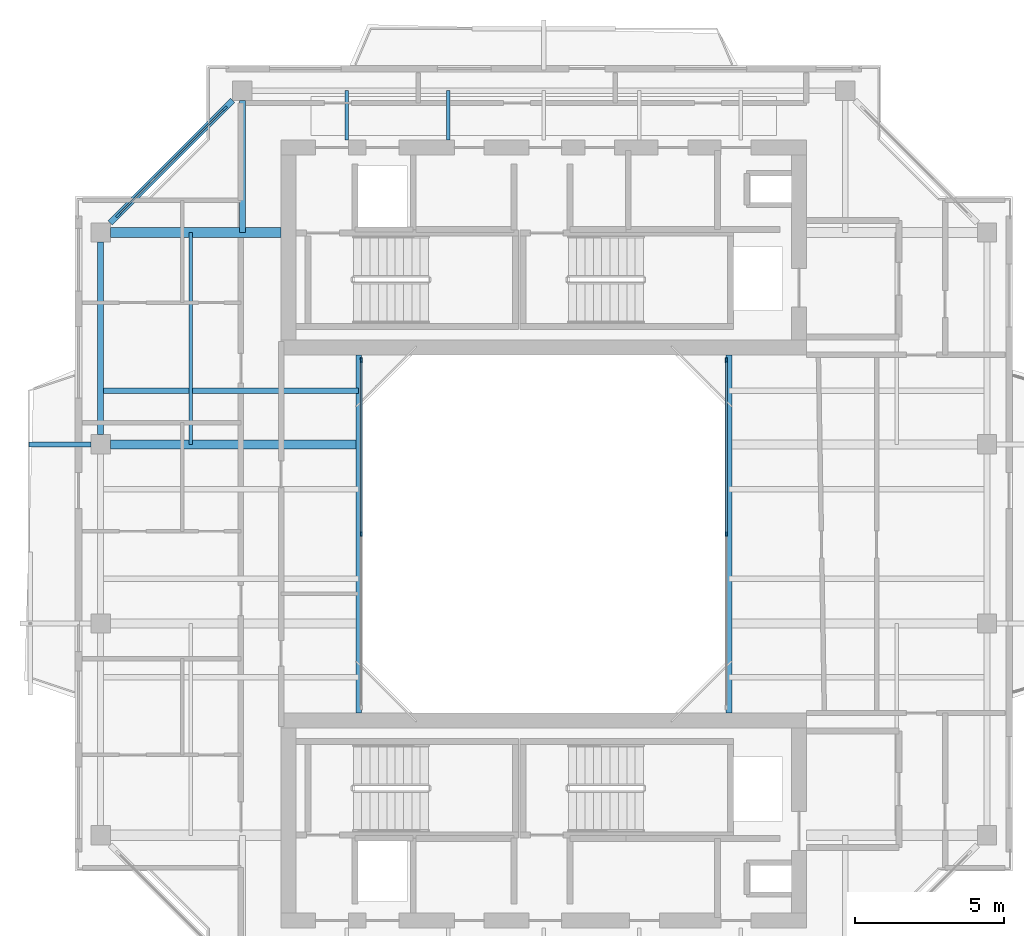
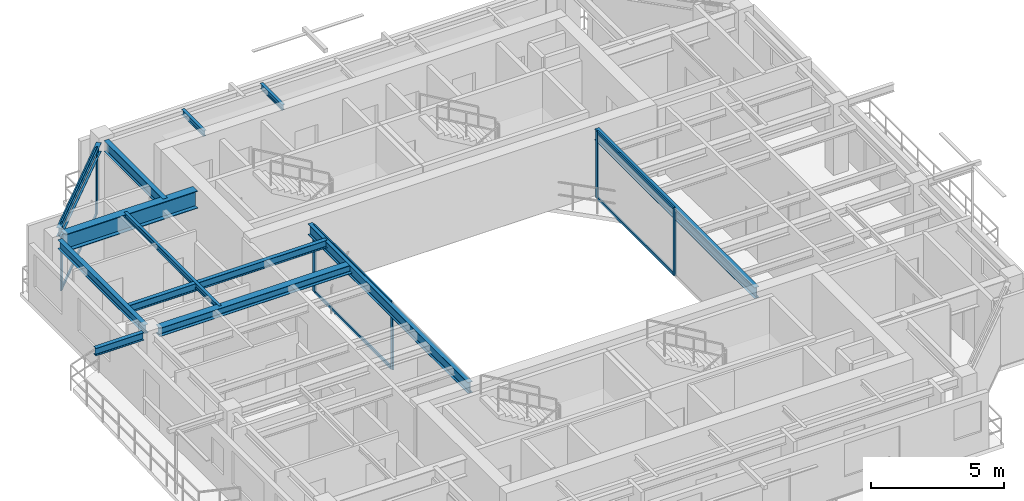
# One storey, part 5 of 15: 12 beams, 12 members, 3 elements without a shape of their own.
"""IFC4 building model written with IfcOpenShell, lengths in metres."""

from ifc_helpers import new_model, si_unit, direction, frame, origin, origin_2d, place, context, subcontext, project, spatial, rectangle, i_section, extrude, source, transform, mapped, material, layer, layer_set, material_profile, profile_set, type_object, element, aggregate, save


model = new_model("IFC4")

# Units and contexts
model_context = context("Model", 3, precision=1e-05, world=origin(), true_north=direction((0.0, 1.0)))
body_context = subcontext(model_context, "Body", "Model", "MODEL_VIEW")
ifc_project = project(units=[si_unit("LENGTHUNIT", "METRE"), si_unit("AREAUNIT", "SQUARE_METRE"), si_unit("VOLUMEUNIT", "CUBIC_METRE"), si_unit("PLANEANGLEUNIT", "RADIAN"), si_unit("MASSUNIT", "GRAM", prefix="KILO"), si_unit("THERMODYNAMICTEMPERATUREUNIT", "KELVIN"), si_unit("POWERUNIT", "WATT")], contexts=[model_context])

# Site, building, storey
site_placement = place(None, origin())
site = spatial("IfcSite", under=ifc_project, at=site_placement, CompositionType="ELEMENT")
building_placement = place(site_placement, origin())
building = spatial("IfcBuilding", under=site, at=building_placement, Name="Qiaomeng Ring Towers", CompositionType="ELEMENT")
storey_placement = place(building_placement, frame((0.0, 0.0, 256.75)))
storey = spatial("IfcBuildingStorey", under=building, at=storey_placement, Name="L75", CompositionType="ELEMENT", Elevation=256.75)

# Beams
ifc_material_1 = material(Name="Steel Q355B", Category="steel")
ifc_material_profile_1 = material_profile(ifc_material_1, i_section(OverallWidth=0.199951171875, OverallDepth=0.5, WebThickness=0.010009765625, FlangeThickness=0.01611328125, FilletRadius=0.02001953125, at=origin_2d()), Name="HN 500x200x10x16")
ifc_profile_set_1 = profile_set([ifc_material_profile_1], Name="Steel Q355B")
beam_type_1 = type_object("IfcBeamType", Name="STR-BM-HN500", PredefinedType="BEAM", material=ifc_profile_set_1)
shared_shape_1 = source(origin(), body_context, "Body", "SweptSolid", [
    extrude(i_section(OverallWidth=0.199951171875, OverallDepth=0.5, WebThickness=0.010009765625, FlangeThickness=0.01611328125, FilletRadius=0.02001953125, at=origin_2d()), origin(), (0.0, 0.0, 1.0), 12.0),
])
for number, where, z_axis, x_axis, name in (
    (1, (12.800048828125, 17.0, 2.820068359375), (0.0, 1.0, 0.0), (-1.0, 0.0, 0.0), "L75 beam STR-BM-L75-WELL-W"),
    (2, (25.199951171875, 17.0, 2.820068359375), (0.0, 1.0, 0.0), (-1.0, 0.0, 0.0), "L75 beam STR-BM-L75-WELL-E"),
):
    element("IfcBeam", number, at=place(storey_placement, frame(where, z_axis=z_axis, x_axis=x_axis)), inside=storey, type_object=beam_type_1, Name=name, PredefinedType="BEAM", context=body_context, shape_type="MappedRepresentation", body=[
        mapped(shared_shape_1, transform((0.0, 0.0, 0.0), x_axis=(1.0, 0.0, 0.0), y_axis=(0.0, 1.0, 0.0), z_axis=(0.0, 0.0, 1.0), scale=1.0)),
    ])
ifc_material_profile_2 = material_profile(ifc_material_1, i_section(OverallWidth=0.198974609375, OverallDepth=0.39599609375, WebThickness=0.007080078125, FlangeThickness=0.010986328125, FilletRadius=0.01611328125, at=origin_2d()), Name="HN 396x199x7x11")
ifc_profile_set_2 = profile_set([ifc_material_profile_2], Name="Steel Q355B")
beam_type_2 = type_object("IfcBeamType", Name="STR-BM-HN396", PredefinedType="SPANDREL", material=ifc_profile_set_2)
shared_shape_2 = source(origin(), body_context, "Body", "SweptSolid", [
    extrude(i_section(OverallWidth=0.198974609375, OverallDepth=0.39599609375, WebThickness=0.007080078125, FlangeThickness=0.010986328125, FilletRadius=0.01611328125, at=origin_2d()), origin(), (0.0, 0.0, 1.0), 5.800048828125),
])
beam_1_placement = place(storey_placement, frame((8.57568359375, 37.525634765625, 2.8720703125), z_axis=(-0.707106781187, -0.707106781187, 0.0), x_axis=(0.707106781187, -0.707106781187, 0.0)))
element("IfcBeam", 3, at=beam_1_placement, inside=storey, type_object=beam_type_2, Name="L75 beam STR-SP-L75-T1-N1-W4", PredefinedType="SPANDREL", context=body_context, shape_type="MappedRepresentation", body=[
    mapped(shared_shape_2, transform((0.0, 0.0, 0.0), x_axis=(1.0, 0.0, 0.0), y_axis=(0.0, 1.0, 0.0), z_axis=(0.0, 0.0, 1.0), scale=1.0)),
])
shared_shape_3 = source(origin(), body_context, "Body", "SweptSolid", [
    extrude(i_section(OverallWidth=0.198974609375, OverallDepth=0.39599609375, WebThickness=0.007080078125, FlangeThickness=0.010986328125, FilletRadius=0.01611328125, at=origin_2d()), origin(), (0.0, 0.0, 1.0), 6.451904296875),
])
beam_2_placement = place(storey_placement, frame((4.14990234375, 32.77587890625, 2.8720703125), z_axis=(0.0, -1.0, 0.0), x_axis=(1.0, 0.0, 0.0)))
element("IfcBeam", 4, at=beam_2_placement, inside=storey, type_object=beam_type_2, Name="L75 beam STR-SP-L75-T1-W4-W3", PredefinedType="SPANDREL", context=body_context, shape_type="MappedRepresentation", body=[
    mapped(shared_shape_3, transform((0.0, 0.0, 0.0), x_axis=(1.0, 0.0, 0.0), y_axis=(0.0, 1.0, 0.0), z_axis=(0.0, 0.0, 1.0), scale=1.0)),
])
ifc_material_2 = material(Name="Steel Q390GJC", Category="steel")
ifc_material_profile_3 = material_profile(ifc_material_2, i_section(OverallWidth=0.35009765625, OverallDepth=0.800048828125, WebThickness=0.01611328125, FlangeThickness=0.028076171875, at=origin_2d()), Name="WH 800x350x16x28")
ifc_profile_set_3 = profile_set([ifc_material_profile_3], Name="Steel Q390GJC")
beam_type_3 = type_object("IfcBeamType", Name="STR-BM-WH800", PredefinedType="BEAM", material=ifc_profile_set_3)
shared_shape_4 = source(origin(), body_context, "Body", "SweptSolid", [
    extrude(i_section(OverallWidth=0.35009765625, OverallDepth=0.800048828125, WebThickness=0.01611328125, FlangeThickness=0.028076171875, at=origin_2d()), origin(), (0.0, 0.0, 1.0), 5.725830078125),
])
beam_3_placement = place(storey_placement, frame((4.47412109375, 33.10009765625, 2.669921875), z_axis=(1.0, 0.0, 0.0), x_axis=(0.0, 1.0, 0.0)))
element("IfcBeam", 5, at=beam_3_placement, inside=storey, type_object=beam_type_3, Name="L75 beam STR-BM-L75-T1-RAD-W4", PredefinedType="BEAM", context=body_context, shape_type="MappedRepresentation", body=[
    mapped(shared_shape_4, transform((0.0, 0.0, 0.0), x_axis=(1.0, 0.0, 0.0), y_axis=(0.0, 1.0, 0.0), z_axis=(0.0, 0.0, 1.0), scale=1.0)),
])
ifc_material_profile_4 = material_profile(ifc_material_1, i_section(OverallWidth=0.198974609375, OverallDepth=0.49609375, WebThickness=0.009033203125, FlangeThickness=0.013916015625, FilletRadius=0.01806640625, at=origin_2d()), Name="HN 496x199x9x14")
ifc_profile_set_4 = profile_set([ifc_material_profile_4], Name="Steel Q355B")
beam_type_4 = type_object("IfcBeamType", Name="STR-BM-HN496", PredefinedType="BEAM", material=ifc_profile_set_4)
shared_shape_5 = source(origin(), body_context, "Body", "SweptSolid", [
    extrude(i_section(OverallWidth=0.198974609375, OverallDepth=0.49609375, WebThickness=0.009033203125, FlangeThickness=0.013916015625, FilletRadius=0.01806640625, at=origin_2d()), origin(), (0.0, 0.0, 1.0), 4.42578125),
])
beam_4_placement = place(storey_placement, frame((8.89990234375, 37.52587890625, 2.822021484375), z_axis=(0.0, -1.0, 0.0), x_axis=(1.0, 0.0, 0.0)))
element("IfcBeam", 6, at=beam_4_placement, inside=storey, type_object=beam_type_4, Name="L75 beam STR-BM-L75-T1-RAD-N1", PredefinedType="BEAM", context=body_context, shape_type="MappedRepresentation", body=[
    mapped(shared_shape_5, transform((0.0, 0.0, 0.0), x_axis=(1.0, 0.0, 0.0), y_axis=(0.0, 1.0, 0.0), z_axis=(0.0, 0.0, 1.0), scale=1.0)),
])
ifc_material_profile_5 = material_profile(ifc_material_1, i_section(OverallWidth=0.300048828125, OverallDepth=0.389892578125, WebThickness=0.010009765625, FlangeThickness=0.01611328125, FilletRadius=0.02197265625, at=origin_2d()), Name="HM 390x300x10x16")
ifc_profile_set_5 = profile_set([ifc_material_profile_5], Name="Steel Q355B")
beam_type_5 = type_object("IfcBeamType", Name="STR-BM-HM390", PredefinedType="BEAM", material=ifc_profile_set_5)
shared_shape_6 = source(origin(), body_context, "Body", "SweptSolid", [
    extrude(i_section(OverallWidth=0.300048828125, OverallDepth=0.389892578125, WebThickness=0.010009765625, FlangeThickness=0.01611328125, FilletRadius=0.02197265625, at=origin_2d()), origin(), (0.0, 0.0, 1.0), 8.325927734375),
])
beam_5_placement = place(storey_placement, frame((4.47412109375, 26.0, 2.875), z_axis=(1.0, 0.0, 0.0), x_axis=(0.0, 1.0, 0.0)))
element("IfcBeam", 7, at=beam_5_placement, inside=storey, type_object=beam_type_5, Name="L75 beam STR-BM-L75-T1-RAD-W3", PredefinedType="BEAM", context=body_context, shape_type="MappedRepresentation", body=[
    mapped(shared_shape_6, transform((0.0, 0.0, 0.0), x_axis=(1.0, 0.0, 0.0), y_axis=(0.0, 1.0, 0.0), z_axis=(0.0, 0.0, 1.0), scale=1.0)),
])
ifc_material_profile_6 = material_profile(ifc_material_1, i_section(OverallWidth=0.125, OverallDepth=0.25, WebThickness=0.006103515625, FlangeThickness=0.009033203125, FilletRadius=0.011962890625, at=origin_2d()), Name="HN 250x125x6x9")
ifc_profile_set_6 = profile_set([ifc_material_profile_6], Name="Steel Q355B")
beam_type_6 = type_object("IfcBeamType", Name="STR-BM-HN250", PredefinedType="JOIST", material=ifc_profile_set_6)
shared_shape_7 = source(origin(), body_context, "Body", "SweptSolid", [
    extrude(i_section(OverallWidth=0.125, OverallDepth=0.25, WebThickness=0.006103515625, FlangeThickness=0.009033203125, FilletRadius=0.011962890625, at=origin_2d()), origin(), (0.0, 0.0, 1.0), 1.650146484375),
])
for number, where, z_axis, x_axis, name in (
    (8, (12.39990234375, 36.199951171875, 2.945068359375), (0.0, 1.0, 0.0), (-1.0, 0.0, 0.0), "L75 beam STR-JST-L75-T1N-1"),
    (9, (15.800048828125, 36.199951171875, 2.945068359375), (0.0, 1.0, 0.0), (-1.0, 0.0, 0.0), "L75 beam STR-JST-L75-T1N-2"),
):
    element("IfcBeam", number, at=place(storey_placement, frame(where, z_axis=z_axis, x_axis=x_axis)), inside=storey, type_object=beam_type_6, Name=name, PredefinedType="JOIST", context=body_context, shape_type="MappedRepresentation", body=[
        mapped(shared_shape_7, transform((0.0, 0.0, 0.0), x_axis=(1.0, 0.0, 0.0), y_axis=(0.0, 1.0, 0.0), z_axis=(0.0, 0.0, 1.0), scale=1.0)),
    ])
ifc_material_profile_7 = material_profile(ifc_material_1, i_section(OverallWidth=0.175048828125, OverallDepth=0.35009765625, WebThickness=0.007080078125, FlangeThickness=0.010986328125, FilletRadius=0.013916015625, at=origin_2d()), Name="HN 350x175x7x11")
ifc_profile_set_7 = profile_set([ifc_material_profile_7], Name="Steel Q355B")
beam_type_7 = type_object("IfcBeamType", Name="STR-BM-HN350", PredefinedType="JOIST", material=ifc_profile_set_7)
shared_shape_8 = source(origin(), body_context, "Body", "SweptSolid", [
    extrude(i_section(OverallWidth=0.175048828125, OverallDepth=0.35009765625, WebThickness=0.007080078125, FlangeThickness=0.010986328125, FilletRadius=0.013916015625, at=origin_2d()), origin(), (0.0, 0.0, 1.0), 8.650146484375),
])
beam_6_placement = place(storey_placement, frame((4.14990234375, 27.800048828125, 2.89501953125), z_axis=(1.0, 0.0, 0.0), x_axis=(0.0, 1.0, 0.0)))
element("IfcBeam", 10, at=beam_6_placement, inside=storey, type_object=beam_type_7, Name="L75 beam STR-JST-L75-T1W-4", PredefinedType="JOIST", context=body_context, shape_type="MappedRepresentation", body=[
    mapped(shared_shape_8, transform((0.0, 0.0, 0.0), x_axis=(1.0, 0.0, 0.0), y_axis=(0.0, 1.0, 0.0), z_axis=(0.0, 0.0, 1.0), scale=1.0)),
])
shared_shape_9 = source(origin(), body_context, "Body", "SweptSolid", [
    extrude(i_section(OverallWidth=0.125, OverallDepth=0.25, WebThickness=0.006103515625, FlangeThickness=0.009033203125, FilletRadius=0.011962890625, at=origin_2d()), origin(), (0.0, 0.0, 1.0), 7.10009765625),
])
beam_7_placement = place(storey_placement, frame((7.175048828125, 26.0, 2.945068359375), z_axis=(0.0, 1.0, 0.0), x_axis=(-1.0, 0.0, 0.0)))
element("IfcBeam", 11, at=beam_7_placement, inside=storey, type_object=beam_type_6, Name="L75 beam STR-JST-L75-T1C-WN", PredefinedType="JOIST", context=body_context, shape_type="MappedRepresentation", body=[
    mapped(shared_shape_9, transform((0.0, 0.0, 0.0), x_axis=(1.0, 0.0, 0.0), y_axis=(0.0, 1.0, 0.0), z_axis=(0.0, 0.0, 1.0), scale=1.0)),
])
shared_shape_10 = source(origin(), body_context, "Body", "SweptSolid", [
    extrude(i_section(OverallWidth=0.175048828125, OverallDepth=0.35009765625, WebThickness=0.007080078125, FlangeThickness=0.010986328125, FilletRadius=0.013916015625, at=origin_2d()), origin(), (0.0, 0.0, 1.0), 2.075927734375),
])
beam_8_placement = place(storey_placement, frame((1.75, 26.0, 2.89501953125), z_axis=(1.0, 0.0, 0.0), x_axis=(0.0, 1.0, 0.0)))
element("IfcBeam", 12, at=beam_8_placement, inside=storey, type_object=beam_type_7, Name="L75 beam STR-BALBM-L75-W3", PredefinedType="JOIST", context=body_context, shape_type="MappedRepresentation", body=[
    mapped(shared_shape_10, transform((0.0, 0.0, 0.0), x_axis=(1.0, 0.0, 0.0), y_axis=(0.0, 1.0, 0.0), z_axis=(0.0, 0.0, 1.0), scale=1.0)),
])

# Curtain wall, members
ifc_material_3 = material(Name="Fluorocarbon dark-grey aluminium", Category="aluminium")
ifc_layer_1 = layer(ifc_material_3, 0.139892578125, Name="Fluorocarbon dark-grey aluminium")
ifc_layer_set_1 = layer_set([ifc_layer_1], Name="Fluorocarbon dark-grey aluminium")
curtain_wall_type_1 = type_object("IfcCurtainWallType", Name="ARC-CW-4", PredefinedType="NOTDEFINED", material=ifc_layer_set_1)
curtain_wall_1_placement = place(storey_placement, origin())
curtain_wall_1 = element("IfcCurtainWall", 13, at=curtain_wall_1_placement, inside=storey, type_object=curtain_wall_type_1, Name="L75 Curtain Wall CW4", PredefinedType="NOTDEFINED")
ifc_material_profile_8 = material_profile(ifc_material_3, rectangle(XDim=0.06494140625, YDim=0.159912109375, at=origin_2d()), Name="ALU MULL 65x160")
ifc_profile_set_8 = profile_set([ifc_material_profile_8], Name="Fluorocarbon dark-grey aluminium")
member_type_1 = type_object("IfcMemberType", Name="ARC-CWM-140", PredefinedType="MULLION", material=ifc_profile_set_8)
shared_shape_11 = source(origin(), body_context, "Body", "SweptSolid", [
    extrude(rectangle(XDim=0.06494140625, YDim=0.159912109375, at=origin_2d()), origin(), (0.0, 0.0, 1.0), 3.070068359375),
])
member_1_placement = place(storey_placement, frame((12.8798828125, 23.0, 0.0), z_axis=(0.0, 0.0, 1.0), x_axis=(-1.0, 0.0, 0.0)))
member_1 = element("IfcMember", 14, at=member_1_placement, type_object=member_type_1, Name="CW4 mullion 2", PredefinedType="MULLION", context=body_context, shape_type="MappedRepresentation", body=[
    mapped(shared_shape_11, transform((0.0, 0.0, 0.0), x_axis=(1.0, 0.0, 0.0), y_axis=(0.0, 1.0, 0.0), z_axis=(0.0, 0.0, 1.0), scale=1.0)),
])
member_2_placement = place(storey_placement, frame((12.8798828125, 28.8173828125, 0.0), z_axis=(0.0, 0.0, 1.0), x_axis=(-1.0, 0.0, 0.0)))
member_2 = element("IfcMember", 15, at=member_2_placement, type_object=member_type_1, Name="CW4 mullion 3", PredefinedType="MULLION", context=body_context, shape_type="MappedRepresentation", body=[
    mapped(shared_shape_11, transform((0.0, 0.0, 0.0), x_axis=(1.0, 0.0, 0.0), y_axis=(0.0, 1.0, 0.0), z_axis=(0.0, 0.0, 1.0), scale=1.0)),
])

curtain_wall_2_placement = place(storey_placement, origin())
curtain_wall_2 = element("IfcCurtainWall", 16, at=curtain_wall_2_placement, inside=storey, type_object=curtain_wall_type_1, Name="L75 Curtain Wall CW4", PredefinedType="NOTDEFINED")
member_3_placement = place(storey_placement, frame((25.1201171875, 23.0, 0.0), z_axis=(0.0, 0.0, 1.0), x_axis=(-1.0, 0.0, 0.0)))
member_3 = element("IfcMember", 17, at=member_3_placement, type_object=member_type_1, Name="CW4 mullion 2", PredefinedType="MULLION", context=body_context, shape_type="MappedRepresentation", body=[
    mapped(shared_shape_11, transform((0.0, 0.0, 0.0), x_axis=(1.0, 0.0, 0.0), y_axis=(0.0, 1.0, 0.0), z_axis=(0.0, 0.0, 1.0), scale=1.0)),
])
member_4_placement = place(storey_placement, frame((25.1201171875, 28.8173828125, 0.0), z_axis=(0.0, 0.0, 1.0), x_axis=(-1.0, 0.0, 0.0)))
member_4 = element("IfcMember", 18, at=member_4_placement, type_object=member_type_1, Name="CW4 mullion 3", PredefinedType="MULLION", context=body_context, shape_type="MappedRepresentation", body=[
    mapped(shared_shape_11, transform((0.0, 0.0, 0.0), x_axis=(1.0, 0.0, 0.0), y_axis=(0.0, 1.0, 0.0), z_axis=(0.0, 0.0, 1.0), scale=1.0)),
])

# Member
ifc_material_profile_9 = material_profile(ifc_material_3, rectangle(XDim=0.06494140625, YDim=0.1298828125, at=origin_2d()), Name="ALU TRAN 65x130")
ifc_profile_set_9 = profile_set([ifc_material_profile_9], Name="Fluorocarbon dark-grey aluminium")
member_type_2 = type_object("IfcMemberType", Name="ARC-CWT-120", PredefinedType="USERDEFINED", material=ifc_profile_set_9)
shared_shape_12 = source(origin(), body_context, "Body", "SweptSolid", [
    extrude(rectangle(XDim=0.06494140625, YDim=0.1298828125, at=origin_2d()), origin(), (0.0, 0.0, 1.0), 5.75244140625),
])
member_5_placement = place(storey_placement, frame((12.8798828125, 23.032470703125, 0.032470703125), z_axis=(0.0, 1.0, 0.0), x_axis=(-1.0, 0.0, 0.0)))
member_5 = element("IfcMember", 19, at=member_5_placement, type_object=member_type_2, Name="CW4 transom 2.1", ObjectType="TRANSOM", PredefinedType="USERDEFINED", context=body_context, shape_type="MappedRepresentation", body=[
    mapped(shared_shape_12, transform((0.0, 0.0, 0.0), x_axis=(1.0, 0.0, 0.0), y_axis=(0.0, 1.0, 0.0), z_axis=(0.0, 0.0, 1.0), scale=1.0)),
])

member_6_placement = place(storey_placement, frame((12.8798828125, 23.032470703125, 3.03759765625), z_axis=(0.0, 1.0, 0.0), x_axis=(-1.0, 0.0, 0.0)))
member_6 = element("IfcMember", 20, at=member_6_placement, type_object=member_type_2, Name="CW4 transom 2.2", ObjectType="TRANSOM", PredefinedType="USERDEFINED", context=body_context, shape_type="MappedRepresentation", body=[
    mapped(shared_shape_12, transform((0.0, 0.0, 0.0), x_axis=(1.0, 0.0, 0.0), y_axis=(0.0, 1.0, 0.0), z_axis=(0.0, 0.0, 1.0), scale=1.0)),
])

aggregate(curtain_wall_1, [member_1, member_2, member_5, member_6])

member_7_placement = place(storey_placement, frame((25.1201171875, 23.032470703125, 0.032470703125), z_axis=(0.0, 1.0, 0.0), x_axis=(-1.0, 0.0, 0.0)))
member_7 = element("IfcMember", 21, at=member_7_placement, type_object=member_type_2, Name="CW4 transom 2.1", ObjectType="TRANSOM", PredefinedType="USERDEFINED", context=body_context, shape_type="MappedRepresentation", body=[
    mapped(shared_shape_12, transform((0.0, 0.0, 0.0), x_axis=(1.0, 0.0, 0.0), y_axis=(0.0, 1.0, 0.0), z_axis=(0.0, 0.0, 1.0), scale=1.0)),
])

member_8_placement = place(storey_placement, frame((25.1201171875, 23.032470703125, 3.03759765625), z_axis=(0.0, 1.0, 0.0), x_axis=(-1.0, 0.0, 0.0)))
member_8 = element("IfcMember", 22, at=member_8_placement, type_object=member_type_2, Name="CW4 transom 2.2", ObjectType="TRANSOM", PredefinedType="USERDEFINED", context=body_context, shape_type="MappedRepresentation", body=[
    mapped(shared_shape_12, transform((0.0, 0.0, 0.0), x_axis=(1.0, 0.0, 0.0), y_axis=(0.0, 1.0, 0.0), z_axis=(0.0, 0.0, 1.0), scale=1.0)),
])

aggregate(curtain_wall_2, [member_3, member_4, member_7, member_8])

# Curtain wall, members
ifc_layer_2 = layer(ifc_material_3, 0.14990234375, Name="Fluorocarbon dark-grey aluminium")
ifc_layer_set_2 = layer_set([ifc_layer_2], Name="Fluorocarbon dark-grey aluminium")
curtain_wall_type_2 = type_object("IfcCurtainWallType", Name="ARC-CW-3", PredefinedType="NOTDEFINED", material=ifc_layer_set_2)
curtain_wall_3_placement = place(storey_placement, origin())
curtain_wall_3 = element("IfcCurtainWall", 23, at=curtain_wall_3_placement, inside=storey, type_object=curtain_wall_type_2, Name="L75 Curtain Wall CW3", PredefinedType="NOTDEFINED")
ifc_material_profile_10 = material_profile(ifc_material_3, rectangle(XDim=0.070068359375, YDim=0.179931640625, at=origin_2d()), Name="ALU MULL 70x180")
ifc_profile_set_10 = profile_set([ifc_material_profile_10], Name="Fluorocarbon dark-grey aluminium")
member_type_3 = type_object("IfcMemberType", Name="ARC-CWM-160", PredefinedType="MULLION", material=ifc_profile_set_10)
shared_shape_13 = source(origin(), body_context, "Body", "SweptSolid", [
    extrude(rectangle(XDim=0.070068359375, YDim=0.179931640625, at=origin_2d()), origin(), (0.0, 0.0, 1.0), 3.070068359375),
])
member_9_placement = place(storey_placement, frame((8.310302734375, 37.26025390625, 0.0), z_axis=(0.0, 0.0, 1.0), x_axis=(0.707106781187, -0.707106781187, 0.0)))
member_9 = element("IfcMember", 24, at=member_9_placement, type_object=member_type_3, Name="CW3 mullion 1", PredefinedType="MULLION", context=body_context, shape_type="MappedRepresentation", body=[
    mapped(shared_shape_13, transform((0.0, 0.0, 0.0), x_axis=(1.0, 0.0, 0.0), y_axis=(0.0, 1.0, 0.0), z_axis=(0.0, 0.0, 1.0), scale=1.0)),
])
member_10_placement = place(storey_placement, frame((4.73974609375, 33.689697265625, 0.0), z_axis=(0.0, 0.0, 1.0), x_axis=(0.707106781187, -0.707106781187, 0.0)))
member_10 = element("IfcMember", 25, at=member_10_placement, type_object=member_type_3, Name="CW3 mullion 2", PredefinedType="MULLION", context=body_context, shape_type="MappedRepresentation", body=[
    mapped(shared_shape_13, transform((0.0, 0.0, 0.0), x_axis=(1.0, 0.0, 0.0), y_axis=(0.0, 1.0, 0.0), z_axis=(0.0, 0.0, 1.0), scale=1.0)),
])
shared_shape_14 = source(origin(), body_context, "Body", "SweptSolid", [
    extrude(rectangle(XDim=0.06494140625, YDim=0.1298828125, at=origin_2d()), origin(), (0.0, 0.0, 1.0), 4.9794921875),
])
member_11_placement = place(storey_placement, frame((8.285400390625, 37.235595703125, 0.032470703125), z_axis=(-0.707106781187, -0.707106781187, 0.0), x_axis=(0.707106781187, -0.707106781187, 0.0)))
member_11 = element("IfcMember", 26, at=member_11_placement, type_object=member_type_2, Name="CW3 transom 1.1", ObjectType="TRANSOM", PredefinedType="USERDEFINED", context=body_context, shape_type="MappedRepresentation", body=[
    mapped(shared_shape_14, transform((0.0, 0.0, 0.0), x_axis=(1.0, 0.0, 0.0), y_axis=(0.0, 1.0, 0.0), z_axis=(0.0, 0.0, 1.0), scale=1.0)),
])
member_12_placement = place(storey_placement, frame((8.285400390625, 37.235595703125, 3.03759765625), z_axis=(-0.707106781187, -0.707106781187, 0.0), x_axis=(0.707106781187, -0.707106781187, 0.0)))
member_12 = element("IfcMember", 27, at=member_12_placement, type_object=member_type_2, Name="CW3 transom 1.2", ObjectType="TRANSOM", PredefinedType="USERDEFINED", context=body_context, shape_type="MappedRepresentation", body=[
    mapped(shared_shape_14, transform((0.0, 0.0, 0.0), x_axis=(1.0, 0.0, 0.0), y_axis=(0.0, 1.0, 0.0), z_axis=(0.0, 0.0, 1.0), scale=1.0)),
])
aggregate(curtain_wall_3, [member_9, member_10, member_11, member_12])

save(model, "model.ifc")
